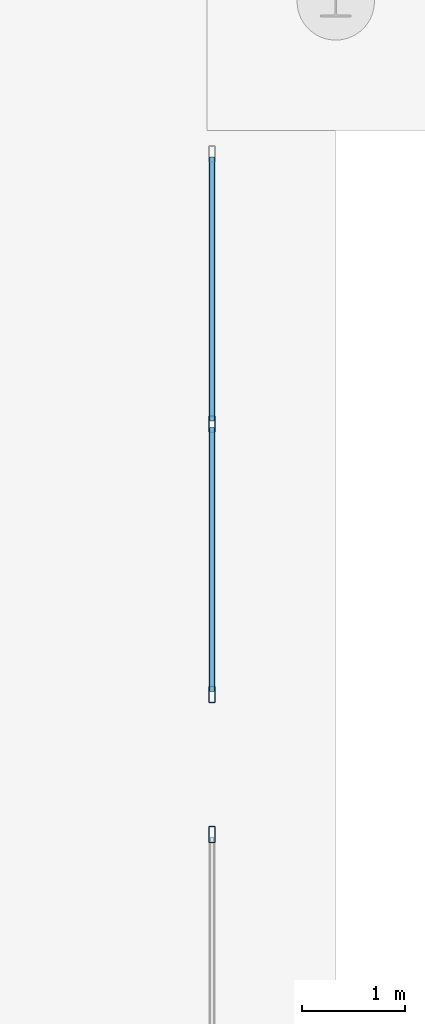
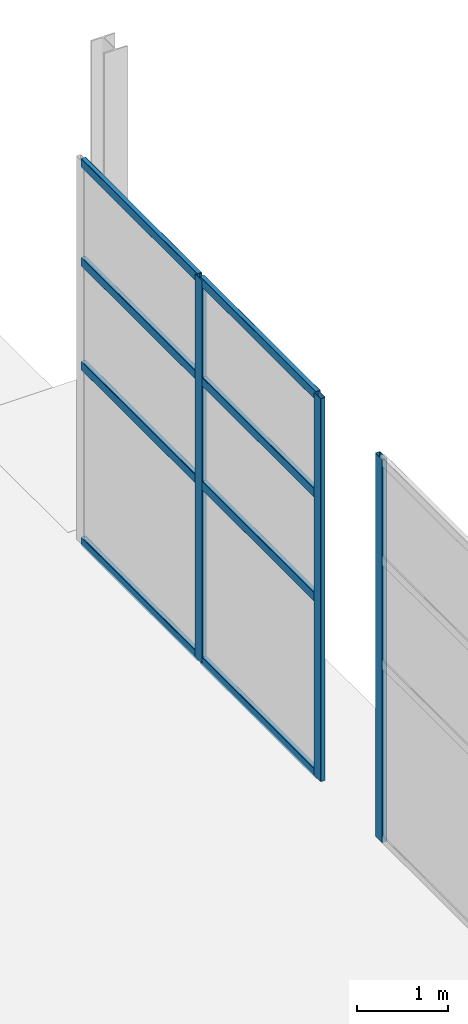
# One storey, part 38 of 91: 11 members, 2 elements without a shape of their own.
"""IFC4 building model written with IfcOpenShell, lengths in metres."""

from ifc_helpers import new_model, si_unit, direction, frame, origin, origin_2d, place, context, subcontext, project, spatial, hollow_rectangle, extrude, material, material_profile, profile_set, type_object, element, aggregate, save


model = new_model("IFC4")

# Units and contexts
model_context = context("Model", 3, precision=1e-05, world=origin(), true_north=direction((0.0, 1.0)))
body_context = subcontext(model_context, "Body", "Model", "MODEL_VIEW")
ifc_project = project(units=[si_unit("LENGTHUNIT", "METRE"), si_unit("AREAUNIT", "SQUARE_METRE"), si_unit("VOLUMEUNIT", "CUBIC_METRE"), si_unit("PLANEANGLEUNIT", "RADIAN"), si_unit("MASSUNIT", "GRAM", prefix="KILO")], contexts=[model_context])

# Site, building, storey
site_placement = place(None, origin())
site = spatial("IfcSite", under=ifc_project, at=site_placement, CompositionType="ELEMENT")
building_placement = place(site_placement, origin())
building = spatial("IfcBuilding", under=site, at=building_placement, Name="Bramveld Media Centre", CompositionType="ELEMENT")
storey_placement = place(building_placement, origin())
storey = spatial("IfcBuildingStorey", under=building, at=storey_placement, Name="L00", CompositionType="ELEMENT", Elevation=0.0)

# Curtain wall, member
ifc_material_1 = material(Name="Thermally broken anodized bronze aluminium unitized curtain wall with solar-control triple glazing", Category="aluminium")
curtain_wall_type_1 = type_object("IfcCurtainWallType", Name="CW-GAL-5500x5160", PredefinedType="NOTDEFINED", material=ifc_material_1)
curtain_wall_1_placement = place(storey_placement, origin())
curtain_wall_1 = element("IfcCurtainWall", 1, at=curtain_wall_1_placement, inside=storey, type_object=curtain_wall_type_1, Name="COLN-E colonnade glazed screen 4", PredefinedType="NOTDEFINED")
ifc_material_2 = material(Name="Thermally broken anodized bronze aluminium EN AW-6063 T6 curtain-wall framing", Category="aluminium")
ifc_material_profile_1 = material_profile(ifc_material_2, hollow_rectangle(XDim=0.06005859375, YDim=0.159912109375, WallThickness=0.00390625, InnerFilletRadius=0.00390625, OuterFilletRadius=0.008056640625, at=origin_2d()), Name="AL-MULL 60x160")
ifc_profile_set_1 = profile_set([ifc_material_profile_1], Name="Thermally broken anodized bronze aluminium EN AW-6063 T6 curtain-wall framing")
member_type_1 = type_object("IfcMemberType", Name="CW-MULL-EXT", PredefinedType="MULLION", material=ifc_profile_set_1)
member_1_placement = place(storey_placement, frame((34.800048828125, 89.52001953125, 0.0), z_axis=(0.0, 0.0, 1.0), x_axis=(-1.0, 0.0, 0.0)))
member_1 = element("IfcMember", 2, at=member_1_placement, type_object=member_type_1, Name="CW-GA-5551 mullion 3", PredefinedType="MULLION", context=body_context, shape_type="SweptSolid", body=[
    extrude(hollow_rectangle(XDim=0.06005859375, YDim=0.159912109375, WallThickness=0.00390625, InnerFilletRadius=0.00390625, OuterFilletRadius=0.008056640625, at=origin_2d()), origin(), (0.0, 0.0, 1.0), 5.159912109375),
])
aggregate(curtain_wall_1, [member_1])

# Curtain wall, members
ifc_material_3 = material(Name="Thermally broken anodized bronze aluminium unitized curtain wall with solar-control triple glazing", Category="aluminium")
curtain_wall_type_2 = type_object("IfcCurtainWallType", Name="CW-GAL-5300x5160", PredefinedType="NOTDEFINED", material=ifc_material_3)
curtain_wall_2_placement = place(storey_placement, origin())
curtain_wall_2 = element("IfcCurtainWall", 3, at=curtain_wall_2_placement, inside=storey, type_object=curtain_wall_type_2, Name="COLN-E colonnade glazed screen 5", PredefinedType="NOTDEFINED")
member_2_placement = place(storey_placement, frame((34.800048828125, 90.8798828125, 0.0), z_axis=(0.0, 0.0, 1.0), x_axis=(-1.0, 0.0, 0.0)))
member_2 = element("IfcMember", 4, at=member_2_placement, type_object=member_type_1, Name="CW-GA-5351 mullion 1", PredefinedType="MULLION", context=body_context, shape_type="SweptSolid", body=[
    extrude(hollow_rectangle(XDim=0.06005859375, YDim=0.159912109375, WallThickness=0.00390625, InnerFilletRadius=0.00390625, OuterFilletRadius=0.008056640625, at=origin_2d()), origin(), (0.0, 0.0, 1.0), 5.159912109375),
])
member_3_placement = place(storey_placement, frame((34.800048828125, 93.5, 0.0), z_axis=(0.0, 0.0, 1.0), x_axis=(-1.0, 0.0, 0.0)))
member_3 = element("IfcMember", 5, at=member_3_placement, type_object=member_type_1, Name="CW-GA-5351 mullion 2", PredefinedType="MULLION", context=body_context, shape_type="SweptSolid", body=[
    extrude(hollow_rectangle(XDim=0.06005859375, YDim=0.159912109375, WallThickness=0.00390625, InnerFilletRadius=0.00390625, OuterFilletRadius=0.008056640625, at=origin_2d()), origin(), (0.0, 0.0, 1.0), 5.159912109375),
])
ifc_material_4 = material(Name="Thermally broken anodized bronze aluminium EN AW-6063 T6 curtain-wall framing", Category="aluminium")
ifc_material_profile_2 = material_profile(ifc_material_4, hollow_rectangle(XDim=0.06005859375, YDim=0.1201171875, WallThickness=0.00341796875, InnerFilletRadius=0.00341796875, OuterFilletRadius=0.007080078125, at=origin_2d()), Name="AL-TRAN 60x120")
ifc_profile_set_2 = profile_set([ifc_material_profile_2], Name="Thermally broken anodized bronze aluminium EN AW-6063 T6 curtain-wall framing")
member_type_2 = type_object("IfcMemberType", Name="CW-TRAN-EXT", PredefinedType="USERDEFINED", material=ifc_profile_set_2)
member_4_placement = place(storey_placement, frame((34.800048828125, 90.909912109375, 0.030029296875), z_axis=(0.0, 1.0, 0.0), x_axis=(-1.0, 0.0, 0.0)))
member_4 = element("IfcMember", 6, at=member_4_placement, type_object=member_type_2, Name="CW-GA-5351 transom 1.1", ObjectType="TRANSOM", PredefinedType="USERDEFINED", context=body_context, shape_type="SweptSolid", body=[
    extrude(hollow_rectangle(XDim=0.06005859375, YDim=0.1201171875, WallThickness=0.00341796875, InnerFilletRadius=0.00341796875, OuterFilletRadius=0.007080078125, at=origin_2d()), origin(), (0.0, 0.0, 1.0), 2.56005859375),
])
member_5_placement = place(storey_placement, frame((34.800048828125, 90.909912109375, 2.39990234375), z_axis=(0.0, 1.0, 0.0), x_axis=(-1.0, 0.0, 0.0)))
member_5 = element("IfcMember", 7, at=member_5_placement, type_object=member_type_2, Name="CW-GA-5351 transom 1.2", ObjectType="TRANSOM", PredefinedType="USERDEFINED", context=body_context, shape_type="SweptSolid", body=[
    extrude(hollow_rectangle(XDim=0.06005859375, YDim=0.1201171875, WallThickness=0.00341796875, InnerFilletRadius=0.00341796875, OuterFilletRadius=0.007080078125, at=origin_2d()), origin(), (0.0, 0.0, 1.0), 2.56005859375),
])
member_6_placement = place(storey_placement, frame((34.800048828125, 90.909912109375, 3.800048828125), z_axis=(0.0, 1.0, 0.0), x_axis=(-1.0, 0.0, 0.0)))
member_6 = element("IfcMember", 8, at=member_6_placement, type_object=member_type_2, Name="CW-GA-5351 transom 1.3", ObjectType="TRANSOM", PredefinedType="USERDEFINED", context=body_context, shape_type="SweptSolid", body=[
    extrude(hollow_rectangle(XDim=0.06005859375, YDim=0.1201171875, WallThickness=0.00341796875, InnerFilletRadius=0.00341796875, OuterFilletRadius=0.007080078125, at=origin_2d()), origin(), (0.0, 0.0, 1.0), 2.56005859375),
])
member_7_placement = place(storey_placement, frame((34.800048828125, 90.909912109375, 5.1298828125), z_axis=(0.0, 1.0, 0.0), x_axis=(-1.0, 0.0, 0.0)))
member_7 = element("IfcMember", 9, at=member_7_placement, type_object=member_type_2, Name="CW-GA-5351 transom 1.4", ObjectType="TRANSOM", PredefinedType="USERDEFINED", context=body_context, shape_type="SweptSolid", body=[
    extrude(hollow_rectangle(XDim=0.06005859375, YDim=0.1201171875, WallThickness=0.00341796875, InnerFilletRadius=0.00341796875, OuterFilletRadius=0.007080078125, at=origin_2d()), origin(), (0.0, 0.0, 1.0), 2.56005859375),
])
member_8_placement = place(storey_placement, frame((34.800048828125, 93.530029296875, 0.030029296875), z_axis=(0.0, 1.0, 0.0), x_axis=(-1.0, 0.0, 0.0)))
member_8 = element("IfcMember", 10, at=member_8_placement, type_object=member_type_2, Name="CW-GA-5351 transom 2.1", ObjectType="TRANSOM", PredefinedType="USERDEFINED", context=body_context, shape_type="SweptSolid", body=[
    extrude(hollow_rectangle(XDim=0.06005859375, YDim=0.1201171875, WallThickness=0.00341796875, InnerFilletRadius=0.00341796875, OuterFilletRadius=0.007080078125, at=origin_2d()), origin(), (0.0, 0.0, 1.0), 2.56005859375),
])
member_9_placement = place(storey_placement, frame((34.800048828125, 93.530029296875, 2.39990234375), z_axis=(0.0, 1.0, 0.0), x_axis=(-1.0, 0.0, 0.0)))
member_9 = element("IfcMember", 11, at=member_9_placement, type_object=member_type_2, Name="CW-GA-5351 transom 2.2", ObjectType="TRANSOM", PredefinedType="USERDEFINED", context=body_context, shape_type="SweptSolid", body=[
    extrude(hollow_rectangle(XDim=0.06005859375, YDim=0.1201171875, WallThickness=0.00341796875, InnerFilletRadius=0.00341796875, OuterFilletRadius=0.007080078125, at=origin_2d()), origin(), (0.0, 0.0, 1.0), 2.56005859375),
])
member_10_placement = place(storey_placement, frame((34.800048828125, 93.530029296875, 3.800048828125), z_axis=(0.0, 1.0, 0.0), x_axis=(-1.0, 0.0, 0.0)))
member_10 = element("IfcMember", 12, at=member_10_placement, type_object=member_type_2, Name="CW-GA-5351 transom 2.3", ObjectType="TRANSOM", PredefinedType="USERDEFINED", context=body_context, shape_type="SweptSolid", body=[
    extrude(hollow_rectangle(XDim=0.06005859375, YDim=0.1201171875, WallThickness=0.00341796875, InnerFilletRadius=0.00341796875, OuterFilletRadius=0.007080078125, at=origin_2d()), origin(), (0.0, 0.0, 1.0), 2.56005859375),
])
member_11_placement = place(storey_placement, frame((34.800048828125, 93.530029296875, 5.1298828125), z_axis=(0.0, 1.0, 0.0), x_axis=(-1.0, 0.0, 0.0)))
member_11 = element("IfcMember", 13, at=member_11_placement, type_object=member_type_2, Name="CW-GA-5351 transom 2.4", ObjectType="TRANSOM", PredefinedType="USERDEFINED", context=body_context, shape_type="SweptSolid", body=[
    extrude(hollow_rectangle(XDim=0.06005859375, YDim=0.1201171875, WallThickness=0.00341796875, InnerFilletRadius=0.00341796875, OuterFilletRadius=0.007080078125, at=origin_2d()), origin(), (0.0, 0.0, 1.0), 2.56005859375),
])
aggregate(curtain_wall_2, [member_2, member_3, member_4, member_5, member_6, member_7, member_8, member_9, member_10, member_11])

save(model, "model.ifc")
